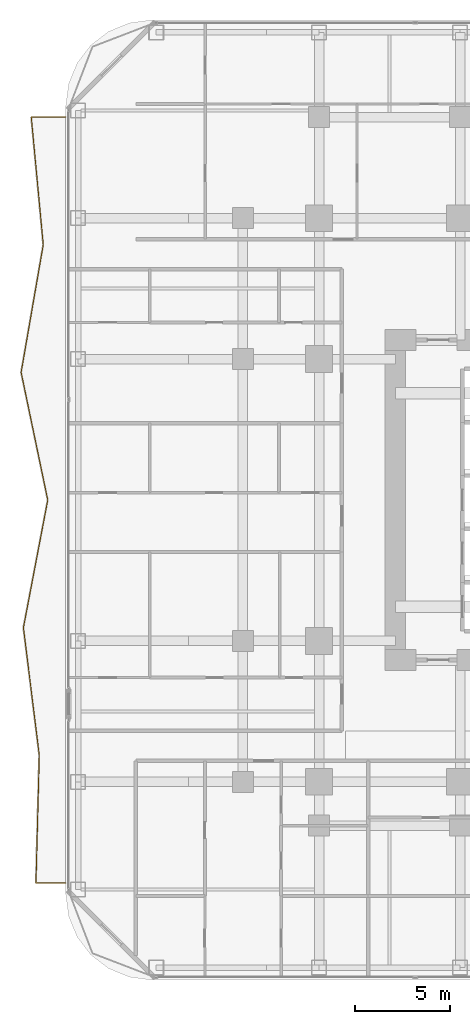
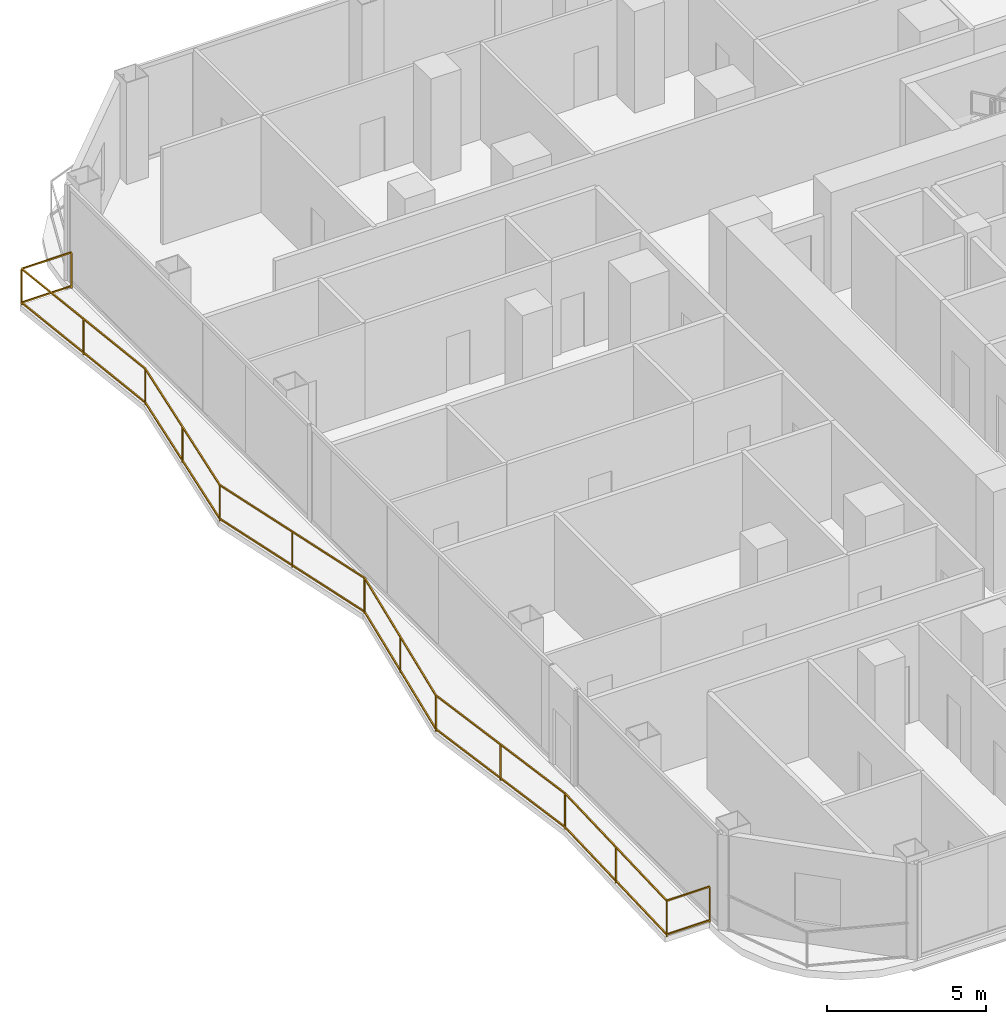
# One storey, part 26 of 29: 1 railing.
"""IFC4 building model written with IfcOpenShell, lengths in metres."""

from ifc_helpers import new_model, si_unit, direction, frame, origin, origin_2d, place, context, subcontext, project, spatial, rectangle, extrude, material, type_object, element, save


model = new_model("IFC4")

# Units and contexts
model_context = context("Model", 3, precision=1e-05, world=origin(), true_north=direction((0.0, 1.0)))
body_context = subcontext(model_context, "Body", "Model", "MODEL_VIEW")
ifc_project = project(units=[si_unit("LENGTHUNIT", "METRE"), si_unit("AREAUNIT", "SQUARE_METRE"), si_unit("VOLUMEUNIT", "CUBIC_METRE"), si_unit("PLANEANGLEUNIT", "RADIAN"), si_unit("MASSUNIT", "GRAM", prefix="KILO")], contexts=[model_context])

# Site, building, storey
site_placement = place(None, origin())
site = spatial("IfcSite", under=ifc_project, at=site_placement, CompositionType="ELEMENT")
building_placement = place(site_placement, origin())
building = spatial("IfcBuilding", under=site, at=building_placement, Name="Khorvyn Point Tower", CompositionType="ELEMENT")
storey_placement = place(building_placement, frame((0.0, 0.0, 54.0)))
storey = spatial("IfcBuildingStorey", under=building, at=storey_placement, Name="L14", CompositionType="ELEMENT", Elevation=54.0)

# Railing
ifc_material = material(Name="Anodised aluminium 6063-T6 and laminated safety glass", Category="aluminium")
railing_type = type_object("IfcRailingType", Name="Laminated Glass and Aluminium Balcony Guardrail 1400", PredefinedType="BALUSTRADE", material=ifc_material)
railing_placement = place(storey_placement, frame((-28.10009765625, 20.10009765625, 0.0)))
element("IfcRailing", 1, at=railing_placement, inside=storey, type_object=railing_type, Name="L14 West Balcony Guardrail", PredefinedType="BALUSTRADE", context=body_context, shape_type="SweptSolid", body=[
    extrude(rectangle(XDim=0.048095703125, YDim=0.048095703125, at=origin_2d()), frame((0.0, 0.0, 1.3759765625), z_axis=(-1.0, 0.0, 0.0), x_axis=(0.0, -1.0, 0.0)), (0.0, 0.0, 1.0), 1.80810546875),
    extrude(rectangle(XDim=0.048095703125, YDim=0.048095703125, at=origin_2d()), frame((0.0, 0.0, 0.080078125), z_axis=(-1.0, 0.0, 0.0), x_axis=(0.0, -1.0, 0.0)), (0.0, 0.0, 1.0), 1.80810546875),
    extrude(rectangle(XDim=0.048095703125, YDim=0.048095703125, at=origin_2d()), frame((-1.80810546875, 0.0, 1.3759765625), z_axis=(0.093417128562, -0.995627058738, 0.0), x_axis=(0.995627058738, 0.093417128562, 0.0)), (0.0, 0.0, 1.0), 6.729736328125),
    extrude(rectangle(XDim=0.048095703125, YDim=0.048095703125, at=origin_2d()), frame((-1.80810546875, 0.0, 0.080078125), z_axis=(0.093417128562, -0.995627058738, 0.0), x_axis=(0.995627058738, 0.093417128562, 0.0)), (0.0, 0.0, 1.0), 6.729736328125),
    extrude(rectangle(XDim=0.048095703125, YDim=0.048095703125, at=origin_2d()), frame((-1.179443359375, -6.7001953125, 1.3759765625), z_axis=(-0.170794159587, -0.985306731455, 0.0), x_axis=(0.985306731455, -0.170794159587, 0.0)), (0.0, 0.0, 1.0), 6.7998046875),
    extrude(rectangle(XDim=0.048095703125, YDim=0.048095703125, at=origin_2d()), frame((-1.179443359375, -6.7001953125, 0.080078125), z_axis=(-0.170794159587, -0.985306731455, 0.0), x_axis=(0.985306731455, -0.170794159587, 0.0)), (0.0, 0.0, 1.0), 6.7998046875),
    extrude(rectangle(XDim=0.048095703125, YDim=0.048095703125, at=origin_2d()), frame((-2.3408203125, -13.400146484375, 1.3759765625), z_axis=(0.204251957778, -0.978918350908, 0.0), x_axis=(0.978918350908, 0.204251957778, 0.0)), (0.0, 0.0, 1.0), 6.84423828125),
    extrude(rectangle(XDim=0.048095703125, YDim=0.048095703125, at=origin_2d()), frame((-2.3408203125, -13.400146484375, 0.080078125), z_axis=(0.204251957778, -0.978918350908, 0.0), x_axis=(0.978918350908, 0.204251957778, 0.0)), (0.0, 0.0, 1.0), 6.84423828125),
    extrude(rectangle(XDim=0.048095703125, YDim=0.048095703125, at=origin_2d()), frame((-0.94287109375, -20.10009765625, 1.3759765625), z_axis=(-0.187345664161, -0.98229405074, 0.0), x_axis=(0.98229405074, -0.187345664161, 0.0)), (0.0, 0.0, 1.0), 6.82080078125),
    extrude(rectangle(XDim=0.048095703125, YDim=0.048095703125, at=origin_2d()), frame((-0.94287109375, -20.10009765625, 0.080078125), z_axis=(-0.187345664161, -0.98229405074, 0.0), x_axis=(0.98229405074, -0.187345664161, 0.0)), (0.0, 0.0, 1.0), 6.82080078125),
    extrude(rectangle(XDim=0.048095703125, YDim=0.048095703125, at=origin_2d()), frame((-2.220703125, -26.800048828125, 1.3759765625), z_axis=(0.123238031284, -0.992377139824, 0.0), x_axis=(0.992377139824, 0.123238031284, 0.0)), (0.0, 0.0, 1.0), 6.75146484375),
    extrude(rectangle(XDim=0.048095703125, YDim=0.048095703125, at=origin_2d()), frame((-2.220703125, -26.800048828125, 0.080078125), z_axis=(0.123238031284, -0.992377139824, 0.0), x_axis=(0.992377139824, 0.123238031284, 0.0)), (0.0, 0.0, 1.0), 6.75146484375),
    extrude(rectangle(XDim=0.048095703125, YDim=0.048095703125, at=origin_2d()), frame((-1.388671875, -33.5, 1.3759765625), z_axis=(-0.025971414337, -0.999662685928, 0.0), x_axis=(0.999662685928, -0.025971414337, 0.0)), (0.0, 0.0, 1.0), 6.702392578125),
    extrude(rectangle(XDim=0.048095703125, YDim=0.048095703125, at=origin_2d()), frame((-1.388671875, -33.5, 0.080078125), z_axis=(-0.025971414337, -0.999662685928, 0.0), x_axis=(0.999662685928, -0.025971414337, 0.0)), (0.0, 0.0, 1.0), 6.702392578125),
    extrude(rectangle(XDim=0.048095703125, YDim=0.048095703125, at=origin_2d()), frame((-1.562744140625, -40.2001953125, 1.3759765625), z_axis=(1.0, 0.0, 0.0), x_axis=(0.0, 1.0, 0.0)), (0.0, 0.0, 1.0), 1.562744140625),
    extrude(rectangle(XDim=0.048095703125, YDim=0.048095703125, at=origin_2d()), frame((-1.562744140625, -40.2001953125, 0.080078125), z_axis=(1.0, 0.0, 0.0), x_axis=(0.0, 1.0, 0.0)), (0.0, 0.0, 1.0), 1.562744140625),
    extrude(rectangle(XDim=0.0419921875, YDim=0.0419921875, at=origin_2d()), origin(), (0.0, 0.0, 1.0), 1.351806640625),
    extrude(rectangle(XDim=0.0419921875, YDim=0.0419921875, at=origin_2d()), frame((-1.80810546875, 0.0, 0.0)), (0.0, 0.0, 1.0), 1.351806640625),
    extrude(rectangle(XDim=0.0419921875, YDim=0.0419921875, at=origin_2d()), frame((-1.49365234375, -3.35009765625, 0.0)), (0.0, 0.0, 1.0), 1.351806640625),
    extrude(rectangle(XDim=0.0419921875, YDim=0.0419921875, at=origin_2d()), frame((-1.179443359375, -6.7001953125, 0.0)), (0.0, 0.0, 1.0), 1.351806640625),
    extrude(rectangle(XDim=0.0419921875, YDim=0.0419921875, at=origin_2d()), frame((-1.76025390625, -10.05029296875, 0.0)), (0.0, 0.0, 1.0), 1.351806640625),
    extrude(rectangle(XDim=0.0419921875, YDim=0.0419921875, at=origin_2d()), frame((-2.3408203125, -13.400146484375, 0.0)), (0.0, 0.0, 1.0), 1.351806640625),
    extrude(rectangle(XDim=0.0419921875, YDim=0.0419921875, at=origin_2d()), frame((-1.641845703125, -16.75, 0.0)), (0.0, 0.0, 1.0), 1.351806640625),
    extrude(rectangle(XDim=0.0419921875, YDim=0.0419921875, at=origin_2d()), frame((-0.94287109375, -20.10009765625, 0.0)), (0.0, 0.0, 1.0), 1.351806640625),
    extrude(rectangle(XDim=0.0419921875, YDim=0.0419921875, at=origin_2d()), frame((-1.581787109375, -23.4501953125, 0.0)), (0.0, 0.0, 1.0), 1.351806640625),
    extrude(rectangle(XDim=0.0419921875, YDim=0.0419921875, at=origin_2d()), frame((-2.220703125, -26.800048828125, 0.0)), (0.0, 0.0, 1.0), 1.351806640625),
    extrude(rectangle(XDim=0.0419921875, YDim=0.0419921875, at=origin_2d()), frame((-1.8046875, -30.14990234375, 0.0)), (0.0, 0.0, 1.0), 1.351806640625),
    extrude(rectangle(XDim=0.0419921875, YDim=0.0419921875, at=origin_2d()), frame((-1.388671875, -33.5, 0.0)), (0.0, 0.0, 1.0), 1.351806640625),
    extrude(rectangle(XDim=0.0419921875, YDim=0.0419921875, at=origin_2d()), frame((-1.4755859375, -36.85009765625, 0.0)), (0.0, 0.0, 1.0), 1.351806640625),
    extrude(rectangle(XDim=0.0419921875, YDim=0.0419921875, at=origin_2d()), frame((-1.562744140625, -40.2001953125, 0.0)), (0.0, 0.0, 1.0), 1.351806640625),
    extrude(rectangle(XDim=0.0419921875, YDim=0.0419921875, at=origin_2d()), frame((0.0, -40.2001953125, 0.0)), (0.0, 0.0, 1.0), 1.351806640625),
])

save(model, "model.ifc")
